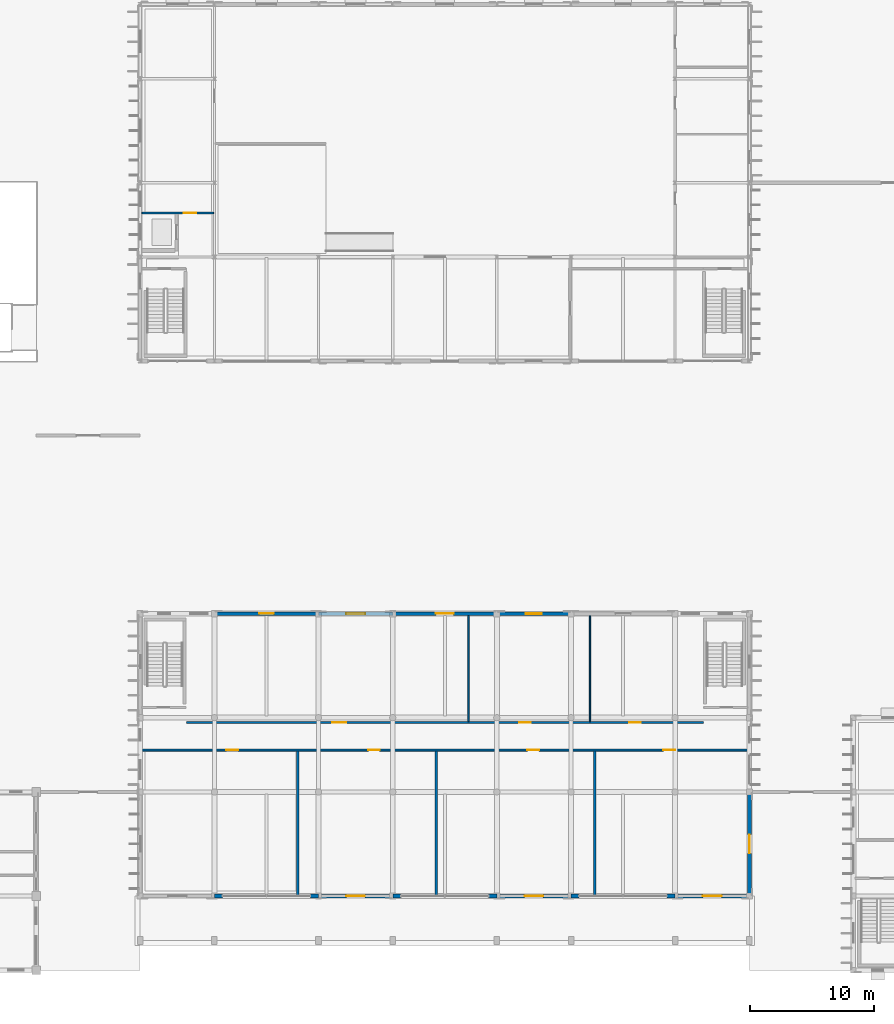
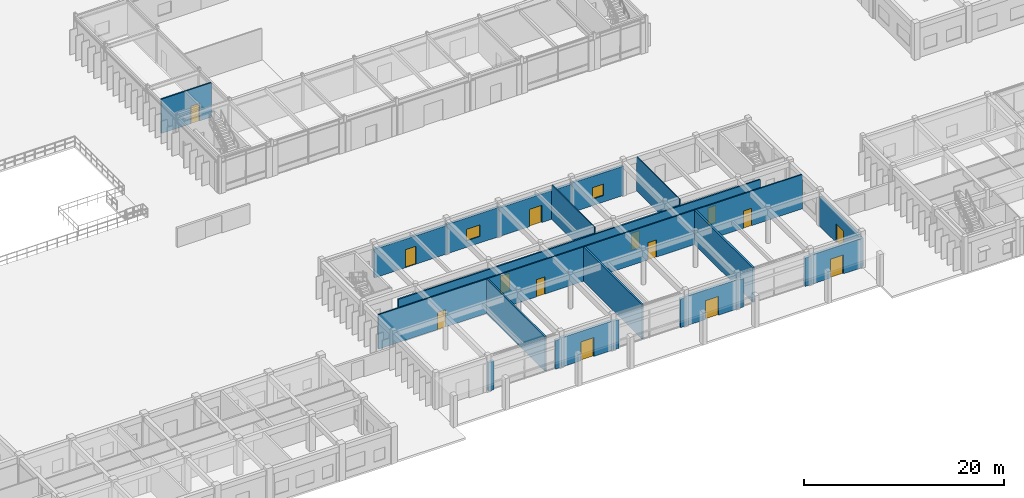
# One storey, part 31 of 67: 22 walls, 14 doors, 2 windows, 16 openings.
"""IFC4 building model written with IfcOpenShell, lengths in metres."""

from ifc_helpers import new_model, si_unit, direction, frame, frame_2d, origin, place, context, subcontext, project, spatial, rectangle, extrude, material, layer, layer_set, type_object, element, fill, save


model = new_model("IFC4")

# Units and contexts
model_context = context("Model", 3, precision=1e-05, world=origin(), true_north=direction((0.0, 1.0)))
body_context = subcontext(model_context, "Body", "Model", "MODEL_VIEW")
ifc_project = project(units=[si_unit("LENGTHUNIT", "METRE"), si_unit("AREAUNIT", "SQUARE_METRE"), si_unit("VOLUMEUNIT", "CUBIC_METRE"), si_unit("PLANEANGLEUNIT", "RADIAN"), si_unit("MASSUNIT", "GRAM", prefix="KILO"), si_unit("THERMODYNAMICTEMPERATUREUNIT", "KELVIN")], contexts=[model_context])

# Site, building, storey
site_placement = place(None, origin())
site = spatial("IfcSite", under=ifc_project, at=site_placement, CompositionType="ELEMENT")
building_placement = place(site_placement, origin())
building = spatial("IfcBuilding", under=site, at=building_placement, Name="Thalorik Housing Commons", CompositionType="ELEMENT")
storey_placement = place(building_placement, origin())
storey = spatial("IfcBuildingStorey", under=building, at=storey_placement, Name="L00", CompositionType="ELEMENT", Elevation=0.0)

# Wall, openings, doors
ifc_material_1 = material(Name="Masonry fire-rated corridor wall", Category="masonry")
ifc_layer_1 = layer(ifc_material_1, 0.14990234375, Name="Masonry fire-rated corridor wall", Category="masonry")
ifc_layer_set_1 = layer_set([ifc_layer_1], Name="Masonry fire-rated corridor wall")
wall_type_1 = type_object("IfcWallType", Name="ARC-WAL-CORR-150", PredefinedType="PARTITIONING", material=ifc_layer_set_1)
wall_1_placement = place(storey_placement, frame((66.139404296875, 26.179931640625, 0.0), z_axis=(0.0, 0.0, 1.0), x_axis=(1.0, 0.0, 0.0)))
wall_1 = element("IfcWall", 1, at=wall_1_placement, inside=storey, type_object=wall_type_1, Name="L00 Shops Rear Corridor Wall", PredefinedType="PARTITIONING", context=body_context, shape_type="SweptSolid", body=[
    extrude(rectangle(XDim=48.921142578125, YDim=0.14990234375, at=frame_2d((24.46044921875, 0.0))), origin(), (0.0, 0.0, 1.0), 4.199951171875),
])
opening_1_placement = place(wall_1_placement, frame((6.817138671875, 0.0, 0.0)))
opening_1 = element("IfcOpeningElement", 2, at=opening_1_placement, cuts=wall_1, Name="Opening ID-2210", PredefinedType="OPENING", context=body_context, shape_type="SweptSolid", body=[
    extrude(rectangle(XDim=0.949951171875, YDim=2.10009765625, at=frame_2d((0.47509765625, 1.050048828125))), frame((0.0, 0.0849609375, 0.0), z_axis=(0.0, -1.0, 0.0), x_axis=(1.0, 0.0, 0.0)), (0.0, 0.0, 1.0), 0.169921875),
])
opening_2_placement = place(wall_1_placement, frame((18.2626953125, 0.0, 0.0)))
opening_2 = element("IfcOpeningElement", 3, at=opening_2_placement, cuts=wall_1, Name="Opening ID-2211", PredefinedType="OPENING", context=body_context, shape_type="SweptSolid", body=[
    extrude(rectangle(XDim=0.949951171875, YDim=2.10009765625, at=frame_2d((0.47509765625, 1.050048828125))), frame((0.0, 0.0849609375, 0.0), z_axis=(0.0, -1.0, 0.0), x_axis=(1.0, 0.0, 0.0)), (0.0, 0.0, 1.0), 0.169921875),
])
opening_3_placement = place(wall_1_placement, frame((31.138916015625, 0.0, 0.0)))
opening_3 = element("IfcOpeningElement", 4, at=opening_3_placement, cuts=wall_1, Name="Opening ID-2212", PredefinedType="OPENING", context=body_context, shape_type="SweptSolid", body=[
    extrude(rectangle(XDim=0.949951171875, YDim=2.10009765625, at=frame_2d((0.47509765625, 1.050048828125))), frame((0.0, 0.0849609375, 0.0), z_axis=(0.0, -1.0, 0.0), x_axis=(1.0, 0.0, 0.0)), (0.0, 0.0, 1.0), 0.169921875),
])
opening_4_placement = place(wall_1_placement, frame((42.107666015625, 0.0, 0.0)))
opening_4 = element("IfcOpeningElement", 5, at=opening_4_placement, cuts=wall_1, Name="Opening ID-2213", PredefinedType="OPENING", context=body_context, shape_type="SweptSolid", body=[
    extrude(rectangle(XDim=0.949951171875, YDim=2.10009765625, at=frame_2d((0.47509765625, 1.050048828125))), frame((0.0, 0.0849609375, 0.0), z_axis=(0.0, -1.0, 0.0), x_axis=(1.0, 0.0, 0.0)), (0.0, 0.0, 1.0), 0.169921875),
])
ifc_material_2 = material(Name="Steel S355", Category="steel")
door_type_1 = type_object("IfcDoorType", Name="ARC-DR-FD60-950", OperationType="NOTDEFINED", PredefinedType="DOOR", material=ifc_material_2)
door_1_placement = place(opening_1_placement, origin())
door_1 = element("IfcDoor", 6, at=door_1_placement, inside=storey, type_object=door_type_1, Name="Cafe Service Door", OperationType="SINGLE_SWING_LEFT", OverallHeight=2.10009765625, OverallWidth=0.949951171875, PredefinedType="DOOR", context=body_context, shape_type="SweptSolid", body=[
    extrude(rectangle(XDim=0.949951171875, YDim=2.10009765625, at=frame_2d((0.47509765625, 1.050048828125))), frame((0.0, 0.02490234375, 0.0), z_axis=(0.0, -1.0, 0.0), x_axis=(1.0, 0.0, 0.0)), (0.0, 0.0, 1.0), 0.050048828125),
])
fill(opening_1, door_1)
door_2_placement = place(opening_2_placement, origin())
door_2 = element("IfcDoor", 7, at=door_2_placement, inside=storey, type_object=door_type_1, Name="Bakery Service Door", OperationType="SINGLE_SWING_RIGHT", OverallHeight=2.10009765625, OverallWidth=0.949951171875, PredefinedType="DOOR", context=body_context, shape_type="SweptSolid", body=[
    extrude(rectangle(XDim=0.949951171875, YDim=2.10009765625, at=frame_2d((0.47509765625, 1.050048828125))), frame((0.0, 0.02490234375, 0.0), z_axis=(0.0, -1.0, 0.0), x_axis=(1.0, 0.0, 0.0)), (0.0, 0.0, 1.0), 0.050048828125),
])
fill(opening_2, door_2)
door_3_placement = place(opening_3_placement, origin())
door_3 = element("IfcDoor", 8, at=door_3_placement, inside=storey, type_object=door_type_1, Name="Retail Shop Service Door", OperationType="SINGLE_SWING_LEFT", OverallHeight=2.10009765625, OverallWidth=0.949951171875, PredefinedType="DOOR", context=body_context, shape_type="SweptSolid", body=[
    extrude(rectangle(XDim=0.949951171875, YDim=2.10009765625, at=frame_2d((0.47509765625, 1.050048828125))), frame((0.0, 0.02490234375, 0.0), z_axis=(0.0, -1.0, 0.0), x_axis=(1.0, 0.0, 0.0)), (0.0, 0.0, 1.0), 0.050048828125),
])
fill(opening_3, door_3)
door_4_placement = place(opening_4_placement, origin())
door_4 = element("IfcDoor", 9, at=door_4_placement, inside=storey, type_object=door_type_1, Name="Pharmacy Service Door", OperationType="SINGLE_SWING_RIGHT", OverallHeight=2.10009765625, OverallWidth=0.949951171875, PredefinedType="DOOR", context=body_context, shape_type="SweptSolid", body=[
    extrude(rectangle(XDim=0.949951171875, YDim=2.10009765625, at=frame_2d((0.47509765625, 1.050048828125))), frame((0.0, 0.02490234375, 0.0), z_axis=(0.0, -1.0, 0.0), x_axis=(1.0, 0.0, 0.0)), (0.0, 0.0, 1.0), 0.050048828125),
])
fill(opening_4, door_4)

ifc_layer_2 = layer(ifc_material_1, 0.1650390625, Name="Masonry fire-rated corridor wall", Category="masonry")
ifc_layer_set_2 = layer_set([ifc_layer_2], Name="Masonry fire-rated corridor wall")
wall_type_2 = type_object("IfcWallType", Name="ARC-WAL-CORR-165", PredefinedType="PARTITIONING", material=ifc_layer_set_2)
wall_2_placement = place(storey_placement, frame((69.75, 28.39990234375, 0.0), z_axis=(0.0, 0.0, 1.0), x_axis=(1.0, 0.0, 0.0)))
wall_2 = element("IfcWall", 10, at=wall_2_placement, inside=storey, type_object=wall_type_2, Name="L00 Shops Stockroom Corridor Wall", PredefinedType="PARTITIONING", context=body_context, shape_type="SweptSolid", body=[
    extrude(rectangle(XDim=41.75, YDim=0.1650390625, at=frame_2d((20.875, 0.0))), origin(), (0.0, 0.0, 1.0), 3.485107421875),
])
opening_5_placement = place(wall_2_placement, frame((11.780517578125, 0.0, 0.0)))
opening_5 = element("IfcOpeningElement", 11, at=opening_5_placement, cuts=wall_2, Name="Opening ID-2216", PredefinedType="OPENING", context=body_context, shape_type="SweptSolid", body=[
    extrude(rectangle(XDim=1.10009765625, YDim=2.14990234375, at=frame_2d((0.550048828125, 1.074951171875))), frame((0.0, 0.092529296875, 0.0), z_axis=(0.0, -1.0, 0.0), x_axis=(1.0, 0.0, 0.0)), (0.0, 0.0, 1.0), 0.18505859375),
])
opening_6_placement = place(wall_2_placement, frame((26.857666015625, 0.0, 0.0)))
opening_6 = element("IfcOpeningElement", 12, at=opening_6_placement, cuts=wall_2, Name="Opening ID-2217", PredefinedType="OPENING", context=body_context, shape_type="SweptSolid", body=[
    extrude(rectangle(XDim=0.949951171875, YDim=2.10009765625, at=frame_2d((0.47509765625, 1.050048828125))), frame((0.0, 0.092529296875, 0.0), z_axis=(0.0, -1.0, 0.0), x_axis=(1.0, 0.0, 0.0)), (0.0, 0.0, 1.0), 0.18505859375),
])
opening_7_placement = place(wall_2_placement, frame((35.73681640625, 0.0, 0.0)))
opening_7 = element("IfcOpeningElement", 13, at=opening_7_placement, cuts=wall_2, Name="Opening ID-2218", PredefinedType="OPENING", context=body_context, shape_type="SweptSolid", body=[
    extrude(rectangle(XDim=0.949951171875, YDim=2.10009765625, at=frame_2d((0.47509765625, 1.050048828125))), frame((0.0, 0.092529296875, 0.0), z_axis=(0.0, -1.0, 0.0), x_axis=(1.0, 0.0, 0.0)), (0.0, 0.0, 1.0), 0.18505859375),
])
door_type_2 = type_object("IfcDoorType", Name="ARC-DR-FD60-1100", OperationType="NOTDEFINED", PredefinedType="DOOR", material=ifc_material_2)
door_5_placement = place(opening_5_placement, origin())
door_5 = element("IfcDoor", 14, at=door_5_placement, inside=storey, type_object=door_type_2, Name="Loading Stockroom Door", OperationType="SINGLE_SWING_LEFT", OverallHeight=2.14990234375, OverallWidth=1.10009765625, PredefinedType="DOOR", context=body_context, shape_type="SweptSolid", body=[
    extrude(rectangle(XDim=1.10009765625, YDim=2.14990234375, at=frame_2d((0.550048828125, 1.074951171875))), frame((0.0, 0.02490234375, 0.0), z_axis=(0.0, -1.0, 0.0), x_axis=(1.0, 0.0, 0.0)), (0.0, 0.0, 1.0), 0.050048828125),
])
fill(opening_5, door_5)
ifc_material_3 = material(Name="Engineered oak timber", Category="wood")
door_type_3 = type_object("IfcDoorType", Name="ARC-DR-INT-950", OperationType="NOTDEFINED", PredefinedType="DOOR", material=ifc_material_3)
door_6_placement = place(opening_6_placement, origin())
door_6 = element("IfcDoor", 15, at=door_6_placement, inside=storey, type_object=door_type_3, Name="Shops Public Bathroom Door", OperationType="SINGLE_SWING_RIGHT", OverallHeight=2.10009765625, OverallWidth=0.949951171875, PredefinedType="DOOR", context=body_context, shape_type="SweptSolid", body=[
    extrude(rectangle(XDim=0.949951171875, YDim=2.10009765625, at=frame_2d((0.47509765625, 1.050048828125))), frame((0.0, 0.02490234375, 0.0), z_axis=(0.0, -1.0, 0.0), x_axis=(1.0, 0.0, 0.0)), (0.0, 0.0, 1.0), 0.050048828125),
])
fill(opening_6, door_6)
door_7_placement = place(opening_7_placement, origin())
door_7 = element("IfcDoor", 16, at=door_7_placement, inside=storey, type_object=door_type_3, Name="Shops Accessible Bathroom Door", OperationType="SINGLE_SWING_LEFT", OverallHeight=2.10009765625, OverallWidth=0.949951171875, PredefinedType="DOOR", context=body_context, shape_type="SweptSolid", body=[
    extrude(rectangle(XDim=0.949951171875, YDim=2.10009765625, at=frame_2d((0.47509765625, 1.050048828125))), frame((0.0, 0.02490234375, 0.0), z_axis=(0.0, -1.0, 0.0), x_axis=(1.0, 0.0, 0.0)), (0.0, 0.0, 1.0), 0.050048828125),
])
fill(opening_7, door_7)

# Wall, opening, window
ifc_material_4 = material(Name="White precast concrete C40/50", Category="concrete")
ifc_layer_3 = layer(ifc_material_4, 0.27490234375, Name="White precast concrete C40/50", Category="concrete")
ifc_layer_set_3 = layer_set([ifc_layer_3], Name="White precast concrete C40/50")
wall_type_3 = type_object("IfcWallType", Name="ARC-WAL-EXT-275", PredefinedType="STANDARD", material=ifc_layer_set_3)
wall_3_placement = place(storey_placement, frame((100.800048828125, 37.199951171875, 0.0), z_axis=(0.0, 0.0, 1.0), x_axis=(-1.0, 0.0, 0.0)))
wall_3 = element("IfcWall", 17, at=wall_3_placement, inside=storey, type_object=wall_type_3, Name="L00 Exterior Wall WAL-SHOP-L00-1371", PredefinedType="STANDARD", context=body_context, shape_type="SweptSolid", body=[
    extrude(rectangle(XDim=6.0, YDim=0.27490234375, at=frame_2d((3.0, 0.0))), origin(), (0.0, 0.0, 1.0), 3.5849609375),
])
opening_8_placement = place(wall_3_placement, frame((2.35009765625, 0.0, 0.800048828125)))
opening_8 = element("IfcOpeningElement", 18, at=opening_8_placement, cuts=wall_3, Name="Opening W-06", PredefinedType="OPENING", context=body_context, shape_type="SweptSolid", body=[
    extrude(rectangle(XDim=1.300048828125, YDim=1.39990234375, at=frame_2d((0.64990234375, 0.699951171875))), frame((0.0, 0.1474609375, 0.0), z_axis=(0.0, -1.0, 0.0), x_axis=(1.0, 0.0, 0.0)), (0.0, 0.0, 1.0), 0.294921875),
])
ifc_material_5 = material(Name="Anodised aluminium and solar-control low-E glass", Category="aluminium")
window_type_1 = type_object("IfcWindowType", Name="ARC-WIN-06", PartitioningType="SINGLE_PANEL", PredefinedType="WINDOW", material=ifc_material_5)
window_1_placement = place(opening_8_placement, origin())
window_1 = element("IfcWindow", 19, at=window_1_placement, inside=storey, type_object=window_type_1, Name="L00 Facade Window 2405", OverallHeight=1.39990234375, OverallWidth=1.300048828125, PartitioningType="SINGLE_PANEL", PredefinedType="WINDOW", context=body_context, shape_type="SweptSolid", body=[
    extrude(rectangle(XDim=1.300048828125, YDim=1.39990234375, at=frame_2d((0.64990234375, 0.699951171875))), frame((0.0, 0.030029296875, 0.0), z_axis=(0.0, -1.0, 0.0), x_axis=(1.0, 0.0, 0.0)), (0.0, 0.0, 1.0), 0.06005859375),
])
fill(opening_8, window_1)

wall_4_placement = place(storey_placement, frame((86.39990234375, 37.199951171875, 0.0), z_axis=(0.0, 0.0, 1.0), x_axis=(-1.0, 0.0, 0.0)))
wall_4 = element("IfcWall", 20, at=wall_4_placement, inside=storey, type_object=wall_type_3, Name="L00 Exterior Wall WAL-SHOP-L00-1373", PredefinedType="STANDARD", context=body_context, shape_type="SweptSolid", body=[
    extrude(rectangle(XDim=6.0, YDim=0.27490234375, at=frame_2d((3.0, 0.0))), origin(), (0.0, 0.0, 1.0), 3.5849609375),
])
opening_9_placement = place(wall_4_placement, frame((2.22509765625, 0.0, 0.800048828125)))
opening_9 = element("IfcOpeningElement", 21, at=opening_9_placement, cuts=wall_4, Name="Opening W-12", PredefinedType="OPENING", context=body_context, shape_type="SweptSolid", body=[
    extrude(rectangle(XDim=1.550048828125, YDim=1.39990234375, at=frame_2d((0.77490234375, 0.699951171875))), frame((0.0, 0.1474609375, 0.0), z_axis=(0.0, -1.0, 0.0), x_axis=(1.0, 0.0, 0.0)), (0.0, 0.0, 1.0), 0.294921875),
])
window_type_2 = type_object("IfcWindowType", Name="ARC-WIN-12", PartitioningType="SINGLE_PANEL", PredefinedType="WINDOW", material=ifc_material_5)
window_2_placement = place(opening_9_placement, origin())
window_2 = element("IfcWindow", 22, at=window_2_placement, inside=storey, type_object=window_type_2, Name="L00 Facade Window 2406", OverallHeight=1.39990234375, OverallWidth=1.550048828125, PartitioningType="SINGLE_PANEL", PredefinedType="WINDOW", context=body_context, shape_type="SweptSolid", body=[
    extrude(rectangle(XDim=1.550048828125, YDim=1.39990234375, at=frame_2d((0.77490234375, 0.699951171875))), frame((0.0, 0.030029296875, 0.0), z_axis=(0.0, -1.0, 0.0), x_axis=(1.0, 0.0, 0.0)), (0.0, 0.0, 1.0), 0.06005859375),
])
fill(opening_9, window_2)

# Walls
ifc_layer_4 = layer(ifc_material_4, 0.304931640625, Name="White precast concrete C40/50", Category="concrete")
ifc_layer_set_4 = layer_set([ifc_layer_4], Name="White precast concrete C40/50")
wall_type_4 = type_object("IfcWallType", Name="ARC-WAL-EXT-305", PredefinedType="STANDARD", material=ifc_layer_set_4)
for number, where, z_axis, x_axis, name in (
    (23, (72.0, 14.39990234375, 0.0), (0.0, 0.0, 1.0), (1.0, 0.0, 0.0), "L00 Exterior Wall WAL-SHOPPL-L00-1360"),
    (24, (79.75, 14.39990234375, 0.0), (0.0, 0.0, 1.0), (1.0, 0.0, 0.0), "L00 Exterior Wall WAL-SHOPPR-L00-1360"),
):
    element("IfcWall", number, at=place(storey_placement, frame(where, z_axis=z_axis, x_axis=x_axis)), inside=storey, type_object=wall_type_4, Name=name, PredefinedType="STANDARD", context=body_context, shape_type="SweptSolid", body=[
        extrude(rectangle(XDim=0.64990234375, YDim=0.304931640625, at=frame_2d((0.324951171875, 0.0))), origin(), (0.0, 0.0, 1.0), 3.485107421875),
    ])

# Wall, opening, door
wall_5_placement = place(storey_placement, frame((80.39990234375, 14.39990234375, 0.0), z_axis=(0.0, 0.0, 1.0), x_axis=(1.0, 0.0, 0.0)))
wall_5 = element("IfcWall", 25, at=wall_5_placement, inside=storey, type_object=wall_type_4, Name="L00 Exterior Wall WAL-SHOP-L00-1361", PredefinedType="STANDARD", context=body_context, shape_type="SweptSolid", body=[
    extrude(rectangle(XDim=6.0, YDim=0.304931640625, at=frame_2d((3.0, 0.0))), origin(), (0.0, 0.0, 1.0), 3.5849609375),
])
opening_10_placement = place(wall_5_placement, frame((2.25, 0.0, 0.0)))
opening_10 = element("IfcOpeningElement", 26, at=opening_10_placement, cuts=wall_5, Name="Opening ED-0446", PredefinedType="OPENING", context=body_context, shape_type="SweptSolid", body=[
    extrude(rectangle(XDim=1.5, YDim=2.300048828125, at=frame_2d((0.75, 1.14990234375))), frame((0.0, 0.16259765625, 0.0), z_axis=(0.0, -1.0, 0.0), x_axis=(1.0, 0.0, 0.0)), (0.0, 0.0, 1.0), 0.324951171875),
])
ifc_material_6 = material(Name="Anodised aluminium and laminated safety glass", Category="aluminium")
door_type_4 = type_object("IfcDoorType", Name="ARC-DR-EXT-SHOP-1500", OperationType="NOTDEFINED", PredefinedType="DOOR", material=ifc_material_6)
door_8_placement = place(opening_10_placement, frame((1.5, 0.0, 0.0), z_axis=(0.0, 0.0, 1.0), x_axis=(-1.0, 0.0, 0.0)))
door_8 = element("IfcDoor", 27, at=door_8_placement, inside=storey, type_object=door_type_4, Name="L00 Colonnade Shopfront Entrance 3", OperationType="SINGLE_SWING_LEFT", OverallHeight=2.300048828125, OverallWidth=1.5, PredefinedType="DOOR", context=body_context, shape_type="SweptSolid", body=[
    extrude(rectangle(XDim=1.5, YDim=2.300048828125, at=frame_2d((0.75, 1.14990234375))), frame((0.0, 0.02490234375, 0.0), z_axis=(0.0, -1.0, 0.0), x_axis=(1.0, 0.0, 0.0)), (0.0, 0.0, 1.0), 0.050048828125),
])
fill(opening_10, door_8)

# Walls
for number, where, z_axis, x_axis, name in (
    (28, (86.39990234375, 14.39990234375, 0.0), (0.0, 0.0, 1.0), (1.0, 0.0, 0.0), "L00 Exterior Wall WAL-SHOPPL-L00-1362"),
    (29, (94.14990234375, 14.39990234375, 0.0), (0.0, 0.0, 1.0), (1.0, 0.0, 0.0), "L00 Exterior Wall WAL-SHOPPR-L00-1362"),
):
    element("IfcWall", number, at=place(storey_placement, frame(where, z_axis=z_axis, x_axis=x_axis)), inside=storey, type_object=wall_type_4, Name=name, PredefinedType="STANDARD", context=body_context, shape_type="SweptSolid", body=[
        extrude(rectangle(XDim=0.650146484375, YDim=0.304931640625, at=frame_2d((0.3251953125, 0.0))), origin(), (0.0, 0.0, 1.0), 3.485107421875),
    ])

# Wall, opening, door
wall_6_placement = place(storey_placement, frame((94.800048828125, 14.39990234375, 0.0), z_axis=(0.0, 0.0, 1.0), x_axis=(1.0, 0.0, 0.0)))
wall_6 = element("IfcWall", 30, at=wall_6_placement, inside=storey, type_object=wall_type_4, Name="L00 Exterior Wall WAL-SHOP-L00-1363", PredefinedType="STANDARD", context=body_context, shape_type="SweptSolid", body=[
    extrude(rectangle(XDim=6.0, YDim=0.304931640625, at=frame_2d((3.0, 0.0))), origin(), (0.0, 0.0, 1.0), 3.5849609375),
])
opening_11_placement = place(wall_6_placement, frame((2.25, 0.0, 0.0)))
opening_11 = element("IfcOpeningElement", 31, at=opening_11_placement, cuts=wall_6, Name="Opening ED-0447", PredefinedType="OPENING", context=body_context, shape_type="SweptSolid", body=[
    extrude(rectangle(XDim=1.5, YDim=2.300048828125, at=frame_2d((0.75, 1.14990234375))), frame((0.0, 0.16259765625, 0.0), z_axis=(0.0, -1.0, 0.0), x_axis=(1.0, 0.0, 0.0)), (0.0, 0.0, 1.0), 0.324951171875),
])
door_9_placement = place(opening_11_placement, frame((1.5, 0.0, 0.0), z_axis=(0.0, 0.0, 1.0), x_axis=(-1.0, 0.0, 0.0)))
door_9 = element("IfcDoor", 32, at=door_9_placement, inside=storey, type_object=door_type_4, Name="L00 Colonnade Shopfront Entrance 5", OperationType="SINGLE_SWING_RIGHT", OverallHeight=2.300048828125, OverallWidth=1.5, PredefinedType="DOOR", context=body_context, shape_type="SweptSolid", body=[
    extrude(rectangle(XDim=1.5, YDim=2.300048828125, at=frame_2d((0.75, 1.14990234375))), frame((0.0, 0.02490234375, 0.0), z_axis=(0.0, -1.0, 0.0), x_axis=(1.0, 0.0, 0.0)), (0.0, 0.0, 1.0), 0.050048828125),
])
fill(opening_11, door_9)

# Walls
for number, where, z_axis, x_axis, name in (
    (33, (100.800048828125, 14.39990234375, 0.0), (0.0, 0.0, 1.0), (1.0, 0.0, 0.0), "L00 Exterior Wall WAL-SHOPPL-L00-1364"),
    (34, (108.550048828125, 14.39990234375, 0.0), (0.0, 0.0, 1.0), (1.0, 0.0, 0.0), "L00 Exterior Wall WAL-SHOPPR-L00-1364"),
):
    element("IfcWall", number, at=place(storey_placement, frame(where, z_axis=z_axis, x_axis=x_axis)), inside=storey, type_object=wall_type_4, Name=name, PredefinedType="STANDARD", context=body_context, shape_type="SweptSolid", body=[
        extrude(rectangle(XDim=0.64990234375, YDim=0.304931640625, at=frame_2d((0.324951171875, 0.0))), origin(), (0.0, 0.0, 1.0), 3.485107421875),
    ])

# Wall, opening, door
wall_7_placement = place(storey_placement, frame((109.199951171875, 14.39990234375, 0.0), z_axis=(0.0, 0.0, 1.0), x_axis=(1.0, 0.0, 0.0)))
wall_7 = element("IfcWall", 35, at=wall_7_placement, inside=storey, type_object=wall_type_4, Name="L00 Exterior Wall WAL-SHOP-L00-1365", PredefinedType="STANDARD", context=body_context, shape_type="SweptSolid", body=[
    extrude(rectangle(XDim=6.0, YDim=0.304931640625, at=frame_2d((3.0, 0.0))), origin(), (0.0, 0.0, 1.0), 3.5849609375),
])
opening_12_placement = place(wall_7_placement, frame((2.25, 0.0, 0.0)))
opening_12 = element("IfcOpeningElement", 36, at=opening_12_placement, cuts=wall_7, Name="Opening ED-0448", PredefinedType="OPENING", context=body_context, shape_type="SweptSolid", body=[
    extrude(rectangle(XDim=1.5, YDim=2.300048828125, at=frame_2d((0.75, 1.14990234375))), frame((0.0, 0.16259765625, 0.0), z_axis=(0.0, -1.0, 0.0), x_axis=(1.0, 0.0, 0.0)), (0.0, 0.0, 1.0), 0.324951171875),
])
door_10_placement = place(opening_12_placement, frame((1.5, 0.0, 0.0), z_axis=(0.0, 0.0, 1.0), x_axis=(-1.0, 0.0, 0.0)))
door_10 = element("IfcDoor", 37, at=door_10_placement, inside=storey, type_object=door_type_4, Name="L00 Colonnade Shopfront Entrance 7", OperationType="SINGLE_SWING_LEFT", OverallHeight=2.300048828125, OverallWidth=1.5, PredefinedType="DOOR", context=body_context, shape_type="SweptSolid", body=[
    extrude(rectangle(XDim=1.5, YDim=2.300048828125, at=frame_2d((0.75, 1.14990234375))), frame((0.0, 0.02490234375, 0.0), z_axis=(0.0, -1.0, 0.0), x_axis=(1.0, 0.0, 0.0)), (0.0, 0.0, 1.0), 0.050048828125),
])
fill(opening_12, door_10)

wall_8_placement = place(storey_placement, frame((115.199951171875, 14.39990234375, 0.0), z_axis=(0.0, 0.0, 1.0), x_axis=(0.0, 1.0, 0.0)))
wall_8 = element("IfcWall", 38, at=wall_8_placement, inside=storey, type_object=wall_type_4, Name="L00 Exterior Wall WAL-SHOP-L00-1366", PredefinedType="STANDARD", context=body_context, shape_type="SweptSolid", body=[
    extrude(rectangle(XDim=8.400146484375, YDim=0.304931640625, at=frame_2d((4.2001953125, 0.0))), origin(), (0.0, 0.0, 1.0), 3.485107421875),
])
opening_13_placement = place(wall_8_placement, frame((3.449951171875, 0.0, 0.0)))
opening_13 = element("IfcOpeningElement", 39, at=opening_13_placement, cuts=wall_8, Name="Opening ED-0449", PredefinedType="OPENING", context=body_context, shape_type="SweptSolid", body=[
    extrude(rectangle(XDim=1.5, YDim=2.300048828125, at=frame_2d((0.75, 1.14990234375))), frame((0.0, 0.16259765625, 0.0), z_axis=(0.0, -1.0, 0.0), x_axis=(1.0, 0.0, 0.0)), (0.0, 0.0, 1.0), 0.324951171875),
])
door_11_placement = place(opening_13_placement, frame((1.5, 0.0, 0.0), z_axis=(0.0, 0.0, 1.0), x_axis=(-1.0, 0.0, 0.0)))
door_11 = element("IfcDoor", 40, at=door_11_placement, inside=storey, type_object=door_type_4, Name="L00 Colonnade Shopfront Entrance 1", OperationType="SINGLE_SWING_RIGHT", OverallHeight=2.300048828125, OverallWidth=1.5, PredefinedType="DOOR", context=body_context, shape_type="SweptSolid", body=[
    extrude(rectangle(XDim=1.5, YDim=2.300048828125, at=frame_2d((0.75, 1.14990234375))), frame((0.0, 0.02490234375, 0.0), z_axis=(0.0, -1.0, 0.0), x_axis=(1.0, 0.0, 0.0)), (0.0, 0.0, 1.0), 0.050048828125),
])
fill(opening_13, door_11)

wall_9_placement = place(storey_placement, frame((94.800048828125, 37.199951171875, 0.0), z_axis=(0.0, 0.0, 1.0), x_axis=(-1.0, 0.0, 0.0)))
wall_9 = element("IfcWall", 41, at=wall_9_placement, inside=storey, type_object=wall_type_4, Name="L00 Exterior Wall WAL-SHOP-L00-1372", PredefinedType="STANDARD", context=body_context, shape_type="SweptSolid", body=[
    extrude(rectangle(XDim=8.400146484375, YDim=0.304931640625, at=frame_2d((4.2001953125, 0.0))), origin(), (0.0, 0.0, 1.0), 3.485107421875),
])
opening_14_placement = place(wall_9_placement, frame((3.47509765625, 0.0, 0.0)))
opening_14 = element("IfcOpeningElement", 42, at=opening_14_placement, cuts=wall_9, Name="Opening ED-0451", PredefinedType="OPENING", context=body_context, shape_type="SweptSolid", body=[
    extrude(rectangle(XDim=1.449951171875, YDim=2.10009765625, at=frame_2d((0.72509765625, 1.050048828125))), frame((0.0, 0.16259765625, 0.0), z_axis=(0.0, -1.0, 0.0), x_axis=(1.0, 0.0, 0.0)), (0.0, 0.0, 1.0), 0.324951171875),
])
door_type_5 = type_object("IfcDoorType", Name="ARC-GT-COURT-1450", OperationType="NOTDEFINED", PredefinedType="GATE", material=ifc_material_2)
door_12_placement = place(opening_14_placement, frame((1.449951171875, 0.0, 0.0), z_axis=(0.0, 0.0, 1.0), x_axis=(-1.0, 0.0, 0.0)))
door_12 = element("IfcDoor", 43, at=door_12_placement, inside=storey, type_object=door_type_5, Name="L00 Shops North Exit 4", OperationType="SINGLE_SWING_RIGHT", OverallHeight=2.10009765625, OverallWidth=1.449951171875, PredefinedType="GATE", context=body_context, shape_type="SweptSolid", body=[
    extrude(rectangle(XDim=1.449951171875, YDim=2.10009765625, at=frame_2d((0.72509765625, 1.050048828125))), frame((0.0, 0.02490234375, 0.0), z_axis=(0.0, -1.0, 0.0), x_axis=(1.0, 0.0, 0.0)), (0.0, 0.0, 1.0), 0.050048828125),
])
fill(opening_14, door_12)

wall_10_placement = place(storey_placement, frame((80.39990234375, 37.199951171875, 0.0), z_axis=(0.0, 0.0, 1.0), x_axis=(-1.0, 0.0, 0.0)))
wall_10 = element("IfcWall", 44, at=wall_10_placement, inside=storey, type_object=wall_type_4, Name="L00 Exterior Wall WAL-SHOP-L00-1374", PredefinedType="STANDARD", context=body_context, shape_type="SweptSolid", body=[
    extrude(rectangle(XDim=8.39990234375, YDim=0.304931640625, at=frame_2d((4.199951171875, 0.0))), origin(), (0.0, 0.0, 1.0), 3.485107421875),
])
opening_15_placement = place(wall_10_placement, frame((3.60009765625, 0.0, 0.0)))
opening_15 = element("IfcOpeningElement", 45, at=opening_15_placement, cuts=wall_10, Name="Opening ED-0452", PredefinedType="OPENING", context=body_context, shape_type="SweptSolid", body=[
    extrude(rectangle(XDim=1.199951171875, YDim=2.199951171875, at=frame_2d((0.60009765625, 1.10009765625))), frame((0.0, 0.16259765625, 0.0), z_axis=(0.0, -1.0, 0.0), x_axis=(1.0, 0.0, 0.0)), (0.0, 0.0, 1.0), 0.324951171875),
])
door_type_6 = type_object("IfcDoorType", Name="ARC-DR-EXT-EXIT-1200", OperationType="NOTDEFINED", PredefinedType="DOOR", material=ifc_material_6)
door_13_placement = place(opening_15_placement, frame((1.199951171875, 0.0, 0.0), z_axis=(0.0, 0.0, 1.0), x_axis=(-1.0, 0.0, 0.0)))
door_13 = element("IfcDoor", 46, at=door_13_placement, inside=storey, type_object=door_type_6, Name="L00 Shops North Exit 6", OperationType="SINGLE_SWING_LEFT", OverallHeight=2.199951171875, OverallWidth=1.199951171875, PredefinedType="DOOR", context=body_context, shape_type="SweptSolid", body=[
    extrude(rectangle(XDim=1.199951171875, YDim=2.199951171875, at=frame_2d((0.60009765625, 1.10009765625))), frame((0.0, 0.02490234375, 0.0), z_axis=(0.0, -1.0, 0.0), x_axis=(1.0, 0.0, 0.0)), (0.0, 0.0, 1.0), 0.050048828125),
])
fill(opening_15, door_13)

# Walls
ifc_material_7 = material(Name="Gypsum light stud partition", Category="masonry")
ifc_layer_5 = layer(ifc_material_7, 0.10009765625, Name="Gypsum light stud partition", Category="masonry")
ifc_layer_set_5 = layer_set([ifc_layer_5], Name="Gypsum light stud partition")
wall_type_5 = type_object("IfcWallType", Name="ARC-WAL-PART-100", PredefinedType="PARTITIONING", material=ifc_layer_set_5)
wall_11_placement = place(storey_placement, frame((102.320068359375, 28.484619140625, 0.0), z_axis=(0.0, 0.0, 1.0), x_axis=(0.0, 1.0, 0.0)))
element("IfcWall", 47, at=wall_11_placement, inside=storey, type_object=wall_type_5, Name="L00 Shops WC Divider Wall", PredefinedType="PARTITIONING", context=body_context, shape_type="SweptSolid", body=[
    extrude(rectangle(XDim=8.560791015625, YDim=0.10009765625, at=frame_2d((4.2802734375, 0.0))), origin(), (0.0, 0.0, 1.0), 4.199951171875),
])
ifc_material_8 = material(Name="Gypsum moisture-resistant partition", Category="masonry")
ifc_layer_6 = layer(ifc_material_8, 0.114990234375, Name="Gypsum moisture-resistant partition", Category="masonry")
ifc_layer_set_6 = layer_set([ifc_layer_6], Name="Gypsum moisture-resistant partition")
wall_type_6 = type_object("IfcWallType", Name="ARC-WAL-PART-115", PredefinedType="PARTITIONING", material=ifc_layer_set_6)
wall_12_placement = place(storey_placement, frame((92.52001953125, 28.484619140625, 0.0), z_axis=(0.0, 0.0, 1.0), x_axis=(0.0, 1.0, 0.0)))
element("IfcWall", 48, at=wall_12_placement, inside=storey, type_object=wall_type_6, Name="L00 Shops WC West Divider", PredefinedType="PARTITIONING", context=body_context, shape_type="SweptSolid", body=[
    extrude(rectangle(XDim=8.560791015625, YDim=0.114990234375, at=frame_2d((4.2802734375, 0.0))), origin(), (0.0, 0.0, 1.0), 4.199951171875),
])

# Wall, opening, door
ifc_material_9 = material(Name="Ceramic masonry partition wall", Category="masonry")
ifc_layer_7 = layer(ifc_material_9, 0.14794921875, Name="Ceramic masonry partition wall", Category="masonry")
ifc_layer_set_7 = layer_set([ifc_layer_7], Name="Ceramic masonry partition wall")
wall_type_7 = type_object("IfcWallType", Name="ARC-WAL-PART-150", PredefinedType="PARTITIONING", material=ifc_layer_set_7)
wall_13_placement = place(storey_placement, frame((66.139892578125, 69.550048828125, 0.0), z_axis=(0.0, 0.0, 1.0), x_axis=(1.0, 0.0, 0.0)))
wall_13 = element("IfcWall", 49, at=wall_13_placement, inside=storey, type_object=wall_type_7, Name="L00 Hall West Lobby Divider", PredefinedType="PARTITIONING", context=body_context, shape_type="SweptSolid", body=[
    extrude(rectangle(XDim=5.7841796875, YDim=0.14794921875, at=frame_2d((2.89208984375, 0.0))), origin(), (0.0, 0.0, 1.0), 4.199951171875),
])
opening_16_placement = place(wall_13_placement, frame((3.39990234375, 0.0, 0.0)))
opening_16 = element("IfcOpeningElement", 50, at=opening_16_placement, cuts=wall_13, Name="Opening ID-2178", PredefinedType="OPENING", context=body_context, shape_type="SweptSolid", body=[
    extrude(rectangle(XDim=1.0, YDim=2.14990234375, at=frame_2d((0.5, 1.074951171875))), frame((0.0, 0.083984375, 0.0), z_axis=(0.0, -1.0, 0.0), x_axis=(1.0, 0.0, 0.0)), (0.0, 0.0, 1.0), 0.16796875),
])
door_type_7 = type_object("IfcDoorType", Name="ARC-DR-FD60-1000", OperationType="NOTDEFINED", PredefinedType="DOOR", material=ifc_material_2)
door_14_placement = place(opening_16_placement, origin())
door_14 = element("IfcDoor", 51, at=door_14_placement, inside=storey, type_object=door_type_7, Name="Hall West Lift Lobby Door", OperationType="SINGLE_SWING_LEFT", OverallHeight=2.14990234375, OverallWidth=1.0, PredefinedType="DOOR", context=body_context, shape_type="SweptSolid", body=[
    extrude(rectangle(XDim=1.0, YDim=2.14990234375, at=frame_2d((0.5, 1.074951171875))), frame((0.0, 0.02490234375, 0.0), z_axis=(0.0, -1.0, 0.0), x_axis=(1.0, 0.0, 0.0)), (0.0, 0.0, 1.0), 0.050048828125),
])
fill(opening_16, door_14)

# Walls
ifc_material_10 = material(Name="Masonry acoustic blockwork wall", Category="masonry")
ifc_layer_8 = layer(ifc_material_10, 0.18505859375, Name="Masonry acoustic blockwork wall", Category="masonry")
ifc_layer_set_8 = layer_set([ifc_layer_8], Name="Masonry acoustic blockwork wall")
wall_type_8 = type_object("IfcWallType", Name="ARC-WAL-PARTY-185", PredefinedType="PARTITIONING", material=ifc_layer_set_8)
wall_14_placement = place(storey_placement, frame((78.719970703125, 14.4599609375, 0.0), z_axis=(0.0, 0.0, 1.0), x_axis=(0.0, 1.0, 0.0)))
element("IfcWall", 52, at=wall_14_placement, inside=storey, type_object=wall_type_8, Name="L00 Shop Inter-Tenancy Wall", PredefinedType="PARTITIONING", context=body_context, shape_type="SweptSolid", body=[
    extrude(rectangle(XDim=11.64306640625, YDim=0.18505859375, at=frame_2d((5.821533203125, 0.0))), origin(), (0.0, 0.0, 1.0), 4.199951171875),
])
ifc_material_11 = material(Name="Precast concrete C40/50 acoustic wall", Category="concrete")
ifc_layer_9 = layer(ifc_material_11, 0.199951171875, Name="Precast concrete C40/50 acoustic wall", Category="concrete")
ifc_layer_set_9 = layer_set([ifc_layer_9], Name="Precast concrete C40/50 acoustic wall")
wall_type_9 = type_object("IfcWallType", Name="ARC-WAL-PARTY-200", PredefinedType="PARTITIONING", material=ifc_layer_set_9)
wall_15_placement = place(storey_placement, frame((89.919921875, 14.4599609375, 0.0), z_axis=(0.0, 0.0, 1.0), x_axis=(0.0, 1.0, 0.0)))
element("IfcWall", 53, at=wall_15_placement, inside=storey, type_object=wall_type_9, Name="L00 Shop Inter-Tenancy Wall", PredefinedType="PARTITIONING", context=body_context, shape_type="SweptSolid", body=[
    extrude(rectangle(XDim=11.64306640625, YDim=0.199951171875, at=frame_2d((5.821533203125, 0.0))), origin(), (0.0, 0.0, 1.0), 4.199951171875),
])
ifc_layer_10 = layer(ifc_material_11, 0.219970703125, Name="Precast concrete C40/50 acoustic wall", Category="concrete")
ifc_layer_set_10 = layer_set([ifc_layer_10], Name="Precast concrete C40/50 acoustic wall")
wall_type_10 = type_object("IfcWallType", Name="ARC-WAL-PARTY-220", PredefinedType="PARTITIONING", material=ifc_layer_set_10)
wall_16_placement = place(storey_placement, frame((102.719970703125, 14.4599609375, 0.0), z_axis=(0.0, 0.0, 1.0), x_axis=(0.0, 1.0, 0.0)))
element("IfcWall", 54, at=wall_16_placement, inside=storey, type_object=wall_type_10, Name="L00 Shop Inter-Tenancy Wall", PredefinedType="PARTITIONING", context=body_context, shape_type="SweptSolid", body=[
    extrude(rectangle(XDim=11.64306640625, YDim=0.219970703125, at=frame_2d((5.821533203125, 0.0))), origin(), (0.0, 0.0, 1.0), 4.199951171875),
])

save(model, "model.ifc")
